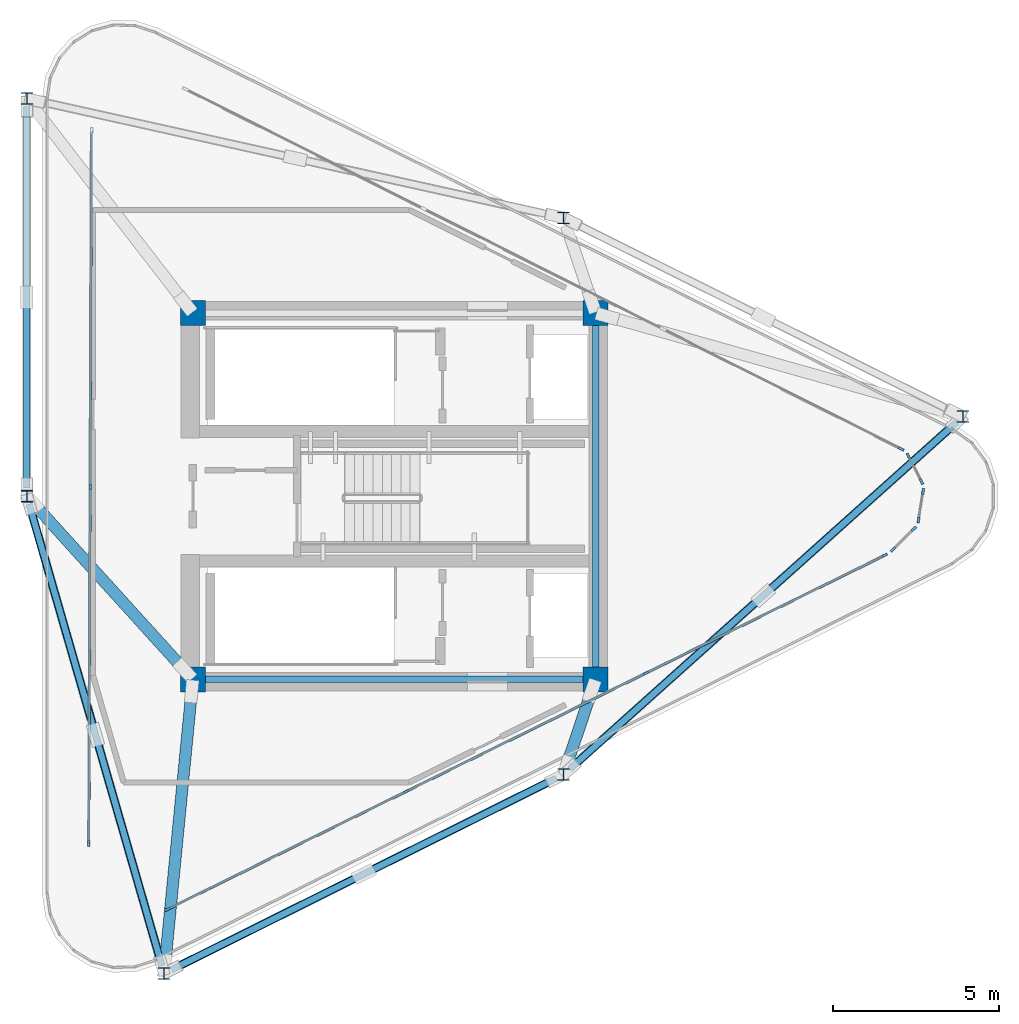
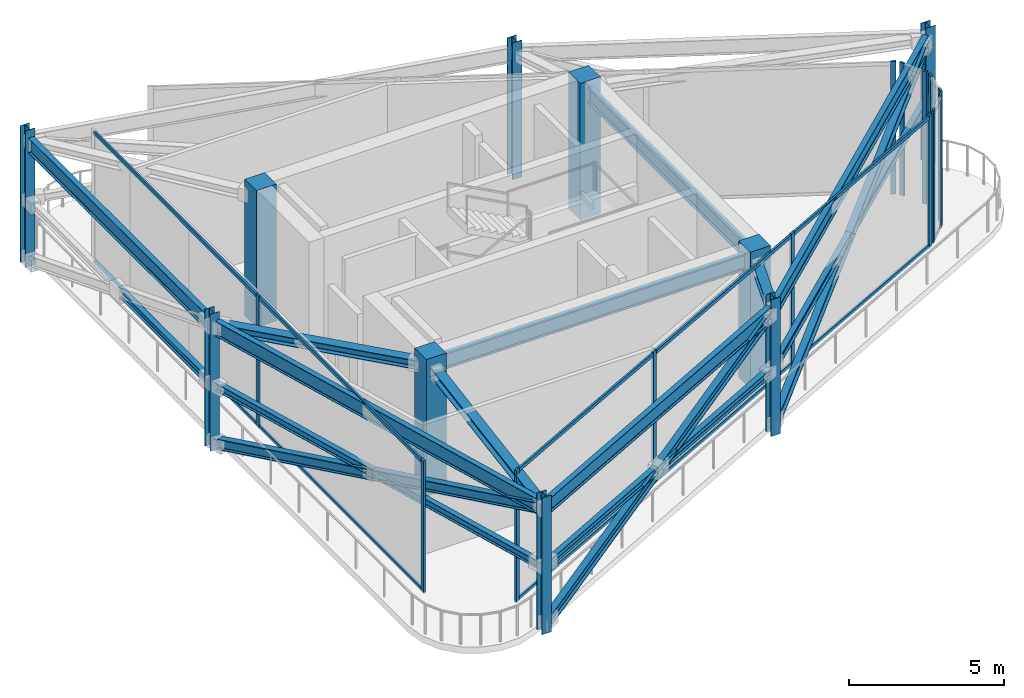
# One storey, part 1 of 7: 36 members, 10 columns, 6 beams, 6 elements without a shape of their own.
"""IFC4 building model written with IfcOpenShell, lengths in metres."""

from ifc_helpers import new_model, si_unit, direction, frame, origin, origin_2d, place, context, subcontext, project, spatial, rectangle, i_section, extrude, source, transform, mapped, material, layer, layer_set, material_profile, profile_set, type_object, element, aggregate, save


model = new_model("IFC4")

# Units and contexts
model_context = context("Model", 3, precision=1e-05, world=origin(), true_north=direction((0.0, 1.0)))
body_context = subcontext(model_context, "Body", "Model", "MODEL_VIEW")
ifc_project = project(units=[si_unit("LENGTHUNIT", "METRE"), si_unit("AREAUNIT", "SQUARE_METRE"), si_unit("VOLUMEUNIT", "CUBIC_METRE"), si_unit("PLANEANGLEUNIT", "RADIAN"), si_unit("MASSUNIT", "GRAM", prefix="KILO")], contexts=[model_context])

# Site, building, storey
site_placement = place(None, origin())
site = spatial("IfcSite", under=ifc_project, at=site_placement, CompositionType="ELEMENT")
building_placement = place(site_placement, origin())
building = spatial("IfcBuilding", under=site, at=building_placement, Name="Yunling Apex Tower", CompositionType="ELEMENT")
storey_placement = place(building_placement, frame((0.0, 0.0, 322.85009765625)))
storey = spatial("IfcBuildingStorey", under=building, at=storey_placement, Name="C02", CompositionType="ELEMENT", Elevation=322.85009765625)

# Columns
ifc_material_1 = material(Name="Concrete C50", Category="concrete")
ifc_material_profile_1 = material_profile(ifc_material_1, rectangle(XDim=0.75, YDim=0.75, at=origin_2d()))
ifc_profile_set_1 = profile_set([ifc_material_profile_1], Name="Concrete C50")
column_type_1 = type_object("IfcColumnType", Name="PC-SRC-4", PredefinedType="COLUMN", material=ifc_profile_set_1)
shared_shape_1 = source(origin(), body_context, "Body", "SweptSolid", [
    extrude(rectangle(XDim=0.75, YDim=0.75, at=origin_2d()), origin(), (0.0, 0.0, 1.0), 5.39990234375),
])
for number, where, z_axis, x_axis, name in (
    (1, (-6.050048828125, -5.5, 0.0), (0.0, 0.0, 1.0), (1.0, 0.0, 0.0), "C02 Core Spine Column CC-SW"),
    (2, (6.050048828125, -5.5, 0.0), (0.0, 0.0, 1.0), (1.0, 0.0, 0.0), "C02 Core Spine Column CC-SE"),
    (3, (6.050048828125, 5.5, 0.0), (0.0, 0.0, 1.0), (1.0, 0.0, 0.0), "C02 Core Spine Column CC-NE"),
    (4, (-6.050048828125, 5.5, 0.0), (0.0, 0.0, 1.0), (1.0, 0.0, 0.0), "C02 Core Spine Column CC-NW"),
):
    element("IfcColumn", number, at=place(storey_placement, frame(where, z_axis=z_axis, x_axis=x_axis)), inside=storey, type_object=column_type_1, Name=name, PredefinedType="COLUMN", context=body_context, shape_type="MappedRepresentation", body=[
        mapped(shared_shape_1, transform((0.0, 0.0, 0.0), scale=1.0)),
    ])
ifc_material_2 = material(Name="Steel Q355B", Category="steel")
ifc_material_profile_2 = material_profile(ifc_material_2, i_section(OverallWidth=0.35009765625, OverallDepth=0.35009765625, WebThickness=0.011962890625, FlangeThickness=0.01904296875, FilletRadius=0.01611328125, at=origin_2d()))
ifc_profile_set_2 = profile_set([ifc_material_profile_2], Name="Steel Q355B")
column_type_2 = type_object("IfcColumnType", Name="CC-STL-2", PredefinedType="COLUMN", material=ifc_profile_set_2)
shared_shape_2 = source(origin(), body_context, "Body", "SweptSolid", [
    extrude(i_section(OverallWidth=0.35009765625, OverallDepth=0.35009765625, WebThickness=0.011962890625, FlangeThickness=0.01904296875, FilletRadius=0.01611328125, at=origin_2d()), origin(), (0.0, 0.0, 1.0), 5.39990234375),
])
for number, where, z_axis, x_axis, name in (
    (5, (-6.9140625, -14.336669921875, 0.0), (0.0, 0.0, 1.0), (1.0, 0.0, 0.0), "C02 Crown Frame Column CP1"),
    (6, (5.086181640625, -8.364013671875, 0.0), (0.0, 0.0, 1.0), (1.0, 0.0, 0.0), "C02 Crown Frame Column CP2"),
    (7, (17.086669921875, 2.3916015625, 0.0), (0.0, 0.0, 1.0), (1.0, 0.0, 0.0), "C02 Crown Frame Column CP3"),
    (8, (5.086181640625, 8.364013671875, 0.0), (0.0, 0.0, 1.0), (1.0, 0.0, 0.0), "C02 Crown Frame Column CP4"),
    (9, (-11.037353515625, 11.9453125, 0.0), (0.0, 0.0, 1.0), (1.0, 0.0, 0.0), "C02 Crown Frame Column CP5"),
    (10, (-11.037353515625, 0.0, 0.0), (0.0, 0.0, 1.0), (1.0, 0.0, 0.0), "C02 Crown Frame Column CP6"),
):
    element("IfcColumn", number, at=place(storey_placement, frame(where, z_axis=z_axis, x_axis=x_axis)), inside=storey, type_object=column_type_2, Name=name, PredefinedType="COLUMN", context=body_context, shape_type="MappedRepresentation", body=[
        mapped(shared_shape_2, transform((0.0, 0.0, 0.0), scale=1.0)),
    ])

# Beams
ifc_material_profile_3 = material_profile(ifc_material_2, i_section(OverallWidth=0.199951171875, OverallDepth=0.60009765625, WebThickness=0.010986328125, FlangeThickness=0.01708984375, FilletRadius=0.02197265625, at=origin_2d()))
ifc_profile_set_3 = profile_set([ifc_material_profile_3], Name="Steel Q355B")
beam_type = type_object("IfcBeamType", Name="BG-PRI-5", PredefinedType="USERDEFINED", material=ifc_profile_set_3)
shared_shape_3 = source(origin(), body_context, "Body", "SweptSolid", [
    extrude(i_section(OverallWidth=0.199951171875, OverallDepth=0.60009765625, WebThickness=0.010986328125, FlangeThickness=0.01708984375, FilletRadius=0.02197265625, at=origin_2d()), origin(), (0.0, 0.0, 1.0), 11.7998046875),
])
beam_1_placement = place(storey_placement, frame((-5.89990234375, -5.5, 4.83984375), z_axis=(1.0, 0.0, 0.0), x_axis=(0.0, 1.0, 0.0)))
element("IfcBeam", 11, at=beam_1_placement, inside=storey, type_object=beam_type, Name="C02 Core Ring Tie Beam 1", ObjectType="GIRDER", PredefinedType="USERDEFINED", context=body_context, shape_type="MappedRepresentation", body=[
    mapped(shared_shape_3, transform((0.0, 0.0, 0.0), scale=1.0)),
])
shared_shape_4 = source(origin(), body_context, "Body", "SweptSolid", [
    extrude(i_section(OverallWidth=0.199951171875, OverallDepth=0.60009765625, WebThickness=0.010986328125, FlangeThickness=0.01708984375, FilletRadius=0.02197265625, at=origin_2d()), origin(), (0.0, 0.0, 1.0), 10.7001953125),
])
beam_2_placement = place(storey_placement, frame((6.050048828125, -5.35009765625, 4.83984375), z_axis=(0.0, 1.0, 0.0), x_axis=(-1.0, 0.0, 0.0)))
element("IfcBeam", 12, at=beam_2_placement, inside=storey, type_object=beam_type, Name="C02 Core Ring Tie Beam 2", ObjectType="GIRDER", PredefinedType="USERDEFINED", context=body_context, shape_type="MappedRepresentation", body=[
    mapped(shared_shape_4, transform((0.0, 0.0, 0.0), scale=1.0)),
])
shared_shape_5 = source(origin(), body_context, "Body", "SweptSolid", [
    extrude(i_section(OverallWidth=0.199951171875, OverallDepth=0.60009765625, WebThickness=0.010986328125, FlangeThickness=0.01708984375, FilletRadius=0.02197265625, at=origin_2d()), origin(), (0.0, 0.0, 1.0), 12.920654296875),
])
beam_3_placement = place(storey_placement, frame((-6.697509765625, -14.22900390625, 4.83984375), z_axis=(0.895245748145, 0.445572721818, 0.0), x_axis=(-0.445572721818, 0.895245748145, 0.0)))
element("IfcBeam", 13, at=beam_3_placement, inside=storey, type_object=beam_type, Name="C02 Crown Ring Beam 1", ObjectType="GIRDER", PredefinedType="USERDEFINED", context=body_context, shape_type="MappedRepresentation", body=[
    mapped(shared_shape_5, transform((0.0, 0.0, 0.0), scale=1.0)),
])

# Members
ifc_material_profile_4 = material_profile(ifc_material_2, i_section(OverallWidth=0.25, OverallDepth=0.39990234375, WebThickness=0.013916015625, FlangeThickness=0.02197265625, FilletRadius=0.01611328125, at=origin_2d()))
ifc_profile_set_4 = profile_set([ifc_material_profile_4], Name="Steel Q355B")
member_type_1 = type_object("IfcMemberType", Name="CR-RIB-1", PredefinedType="RAFTER", material=ifc_profile_set_4)
shared_shape_6 = source(origin(), body_context, "Body", "SweptSolid", [
    extrude(i_section(OverallWidth=0.25, OverallDepth=0.39990234375, WebThickness=0.013916015625, FlangeThickness=0.02197265625, FilletRadius=0.01611328125, at=origin_2d()), origin(), (0.0, 0.0, 1.0), 13.678466796875),
])
member_1_placement = place(storey_placement, frame((-6.697509765625, -14.22900390625, 0.2998046875), z_axis=(0.845640817828, 0.420883854138, 0.328250496648), x_axis=(-0.445572721818, 0.895245748145, 0.0)))
element("IfcMember", 14, at=member_1_placement, inside=storey, type_object=member_type_1, Name="C02 Crown Faceted Structural Rafter 1", PredefinedType="RAFTER", context=body_context, shape_type="MappedRepresentation", body=[
    mapped(shared_shape_6, transform((0.0, 0.0, 0.0), scale=1.0)),
])
ifc_material_profile_5 = material_profile(ifc_material_2, i_section(OverallWidth=0.199951171875, OverallDepth=0.300048828125, WebThickness=0.009033203125, FlangeThickness=0.013916015625, FilletRadius=0.013916015625, at=origin_2d()))
ifc_profile_set_5 = profile_set([ifc_material_profile_5], Name="Steel Q355B")
member_type_2 = type_object("IfcMemberType", Name="CR-PUR-1", PredefinedType="PURLIN", material=ifc_profile_set_5)
shared_shape_7 = source(origin(), body_context, "Body", "SweptSolid", [
    extrude(i_section(OverallWidth=0.199951171875, OverallDepth=0.300048828125, WebThickness=0.009033203125, FlangeThickness=0.013916015625, FilletRadius=0.013916015625, at=origin_2d()), origin(), (0.0, 0.0, 1.0), 6.33544921875),
])
member_2_placement = place(storey_placement, frame((-6.697509765625, -14.22900390625, 2.544921875), z_axis=(0.895234987266, 0.445594341946, 0.0), x_axis=(-0.445594341946, 0.895234987266, 0.0)))
element("IfcMember", 15, at=member_2_placement, inside=storey, type_object=member_type_2, Name="C02 Crown Faceted Glazing Purlin 1A", PredefinedType="PURLIN", context=body_context, shape_type="MappedRepresentation", body=[
    mapped(shared_shape_7, transform((0.0, 0.0, 0.0), scale=1.0)),
])
shared_shape_8 = source(origin(), body_context, "Body", "SweptSolid", [
    extrude(i_section(OverallWidth=0.199951171875, OverallDepth=0.300048828125, WebThickness=0.009033203125, FlangeThickness=0.013916015625, FilletRadius=0.013916015625, at=origin_2d()), origin(), (0.0, 0.0, 1.0), 6.335205078125),
])
member_3_placement = place(storey_placement, frame((-0.802001953125, -11.294677734375, 2.544921875), z_axis=(0.895250359545, 0.445563456462, 0.0), x_axis=(-0.445563456462, 0.895250359545, 0.0)))
element("IfcMember", 16, at=member_3_placement, inside=storey, type_object=member_type_2, Name="C02 Crown Faceted Glazing Purlin 1B", PredefinedType="PURLIN", context=body_context, shape_type="MappedRepresentation", body=[
    mapped(shared_shape_8, transform((0.0, 0.0, 0.0), scale=1.0)),
])
ifc_material_profile_6 = material_profile(ifc_material_2, i_section(OverallWidth=0.35009765625, OverallDepth=0.35009765625, WebThickness=0.011962890625, FlangeThickness=0.01904296875, FilletRadius=0.01611328125, at=origin_2d()))
ifc_profile_set_6 = profile_set([ifc_material_profile_6], Name="Steel Q355B")
member_type_3 = type_object("IfcMemberType", Name="ST-STR-1", PredefinedType="STRUT", material=ifc_profile_set_6)
shared_shape_9 = source(origin(), body_context, "Body", "SweptSolid", [
    extrude(i_section(OverallWidth=0.35009765625, OverallDepth=0.35009765625, WebThickness=0.011962890625, FlangeThickness=0.01904296875, FilletRadius=0.01611328125, at=origin_2d()), origin(), (0.0, 0.0, 1.0), 8.271728515625),
])
member_4_placement = place(storey_placement, frame((-6.08544921875, -5.86328125, 4.83984375), z_axis=(-0.097311751773, -0.995253948983, 0.0), x_axis=(0.995253948983, -0.097311751773, 0.0)))
element("IfcMember", 17, at=member_4_placement, inside=storey, type_object=member_type_3, Name="C02 Crown Radial Stabilizer Strut 1", PredefinedType="STRUT", context=body_context, shape_type="MappedRepresentation", body=[
    mapped(shared_shape_9, transform((0.0, 0.0, 0.0), scale=1.0)),
])

# Beam
shared_shape_10 = source(origin(), body_context, "Body", "SweptSolid", [
    extrude(i_section(OverallWidth=0.199951171875, OverallDepth=0.60009765625, WebThickness=0.010986328125, FlangeThickness=0.01708984375, FilletRadius=0.02197265625, at=origin_2d()), origin(), (0.0, 0.0, 1.0), 15.630859375),
])
beam_4_placement = place(storey_placement, frame((5.2666015625, -8.20263671875, 4.83984375), z_axis=(0.744669550706, 0.667433337684, 0.0), x_axis=(-0.667433337684, 0.744669550706, 0.0)))
element("IfcBeam", 18, at=beam_4_placement, inside=storey, type_object=beam_type, Name="C02 Crown Ring Beam 2", ObjectType="GIRDER", PredefinedType="USERDEFINED", context=body_context, shape_type="MappedRepresentation", body=[
    mapped(shared_shape_10, transform((0.0, 0.0, 0.0), scale=1.0)),
])

# Members
shared_shape_11 = source(origin(), body_context, "Body", "SweptSolid", [
    extrude(i_section(OverallWidth=0.25, OverallDepth=0.39990234375, WebThickness=0.013916015625, FlangeThickness=0.02197265625, FilletRadius=0.01611328125, at=origin_2d()), origin(), (0.0, 0.0, 1.0), 16.262939453125),
])
member_5_placement = place(storey_placement, frame((5.2666015625, -8.20263671875, 0.2998046875), z_axis=(0.715726545235, 0.641492265264, 0.276085468746), x_axis=(-0.667433337684, 0.744669550706, 0.0)))
element("IfcMember", 19, at=member_5_placement, inside=storey, type_object=member_type_1, Name="C02 Crown Faceted Structural Rafter 2", PredefinedType="RAFTER", context=body_context, shape_type="MappedRepresentation", body=[
    mapped(shared_shape_11, transform((0.0, 0.0, 0.0), scale=1.0)),
])
shared_shape_12 = source(origin(), body_context, "Body", "SweptSolid", [
    extrude(i_section(OverallWidth=0.199951171875, OverallDepth=0.300048828125, WebThickness=0.009033203125, FlangeThickness=0.013916015625, FilletRadius=0.013916015625, at=origin_2d()), origin(), (0.0, 0.0, 1.0), 7.6904296875),
])
for number, where, z_axis, x_axis, name in (
    (20, (5.2666015625, -8.20263671875, 2.544921875), (0.744654856598, 0.667449731849, 0.0), (-0.667449731849, 0.744654856598, 0.0), "C02 Crown Faceted Glazing Purlin 2A"),
    (21, (11.1796875, -2.90283203125, 2.544921875), (0.744670634877, 0.667432128049, 0.0), (-0.667432128049, 0.744670634877, 0.0), "C02 Crown Faceted Glazing Purlin 2B"),
):
    element("IfcMember", number, at=place(storey_placement, frame(where, z_axis=z_axis, x_axis=x_axis)), inside=storey, type_object=member_type_2, Name=name, PredefinedType="PURLIN", context=body_context, shape_type="MappedRepresentation", body=[
        mapped(shared_shape_12, transform((0.0, 0.0, 0.0), scale=1.0)),
    ])
shared_shape_13 = source(origin(), body_context, "Body", "SweptSolid", [
    extrude(i_section(OverallWidth=0.35009765625, OverallDepth=0.35009765625, WebThickness=0.011962890625, FlangeThickness=0.01904296875, FilletRadius=0.01611328125, at=origin_2d()), origin(), (0.0, 0.0, 1.0), 2.414794921875),
])
member_6_placement = place(storey_placement, frame((5.93359375, -5.845947265625, 4.83984375), z_axis=(-0.318865218204, -0.947800069962, 0.0), x_axis=(0.947800069962, -0.318865218204, 0.0)))
element("IfcMember", 22, at=member_6_placement, inside=storey, type_object=member_type_3, Name="C02 Crown Radial Stabilizer Strut 2", PredefinedType="STRUT", context=body_context, shape_type="MappedRepresentation", body=[
    mapped(shared_shape_13, transform((0.0, 0.0, 0.0), scale=1.0)),
])

# Beam
shared_shape_14 = source(origin(), body_context, "Body", "SweptSolid", [
    extrude(i_section(OverallWidth=0.199951171875, OverallDepth=0.60009765625, WebThickness=0.010986328125, FlangeThickness=0.01708984375, FilletRadius=0.02197265625, at=origin_2d()), origin(), (0.0, 0.0, 1.0), 11.46142578125),
])
beam_5_placement = place(storey_placement, frame((-11.037353515625, 11.703369140625, 4.83984375), z_axis=(0.0, -1.0, 0.0), x_axis=(1.0, 0.0, 0.0)))
element("IfcBeam", 23, at=beam_5_placement, inside=storey, type_object=beam_type, Name="C02 Crown Ring Beam 5", ObjectType="GIRDER", PredefinedType="USERDEFINED", context=body_context, shape_type="MappedRepresentation", body=[
    mapped(shared_shape_14, transform((0.0, 0.0, 0.0), scale=1.0)),
])

# Member
shared_shape_15 = source(origin(), body_context, "Body", "SweptSolid", [
    extrude(i_section(OverallWidth=0.199951171875, OverallDepth=0.300048828125, WebThickness=0.009033203125, FlangeThickness=0.013916015625, FilletRadius=0.013916015625, at=origin_2d()), origin(), (0.0, 0.0, 1.0), 5.605712890625),
])
member_7_placement = place(storey_placement, frame((-11.037353515625, 5.84765625, 2.544921875), z_axis=(0.0, -1.0, 0.0), x_axis=(1.0, 0.0, 0.0)))
element("IfcMember", 24, at=member_7_placement, inside=storey, type_object=member_type_2, Name="C02 Crown Faceted Glazing Purlin 5B", PredefinedType="PURLIN", context=body_context, shape_type="MappedRepresentation", body=[
    mapped(shared_shape_15, transform((0.0, 0.0, 0.0), scale=1.0)),
])

# Beam
shared_shape_16 = source(origin(), body_context, "Body", "SweptSolid", [
    extrude(i_section(OverallWidth=0.199951171875, OverallDepth=0.60009765625, WebThickness=0.010986328125, FlangeThickness=0.01708984375, FilletRadius=0.02197265625, at=origin_2d()), origin(), (0.0, 0.0, 1.0), 14.43359375),
])
beam_6_placement = place(storey_placement, frame((-10.970458984375, -0.232666015625, 4.83984375), z_axis=(0.276402921078, -0.961041843636, 0.0), x_axis=(0.961041843636, 0.276402921078, 0.0)))
element("IfcBeam", 25, at=beam_6_placement, inside=storey, type_object=beam_type, Name="C02 Crown Ring Beam 6", ObjectType="GIRDER", PredefinedType="USERDEFINED", context=body_context, shape_type="MappedRepresentation", body=[
    mapped(shared_shape_16, transform((0.0, 0.0, 0.0), scale=1.0)),
])

# Members
shared_shape_17 = source(origin(), body_context, "Body", "SweptSolid", [
    extrude(i_section(OverallWidth=0.25, OverallDepth=0.39990234375, WebThickness=0.013916015625, FlangeThickness=0.02197265625, FilletRadius=0.01611328125, at=origin_2d()), origin(), (0.0, 0.0, 1.0), 15.115966796875),
])
member_8_placement = place(storey_placement, frame((-10.970458984375, -0.232666015625, 0.2998046875), z_axis=(0.263927678522, -0.917665926847, 0.297037753853), x_axis=(0.961041843636, 0.276402921078, 0.0)))
element("IfcMember", 26, at=member_8_placement, inside=storey, type_object=member_type_1, Name="C02 Crown Faceted Structural Rafter 6", PredefinedType="RAFTER", context=body_context, shape_type="MappedRepresentation", body=[
    mapped(shared_shape_17, transform((0.0, 0.0, 0.0), scale=1.0)),
])
shared_shape_18 = source(origin(), body_context, "Body", "SweptSolid", [
    extrude(i_section(OverallWidth=0.199951171875, OverallDepth=0.300048828125, WebThickness=0.009033203125, FlangeThickness=0.013916015625, FilletRadius=0.013916015625, at=origin_2d()), origin(), (0.0, 0.0, 1.0), 7.092041015625),
])
member_9_placement = place(storey_placement, frame((-10.970458984375, -0.232666015625, 2.544921875), z_axis=(0.276398442008, -0.961043131839, 0.0), x_axis=(0.961043131839, 0.276398442008, 0.0)))
element("IfcMember", 27, at=member_9_placement, inside=storey, type_object=member_type_2, Name="C02 Crown Faceted Glazing Purlin 6A", PredefinedType="PURLIN", context=body_context, shape_type="MappedRepresentation", body=[
    mapped(shared_shape_18, transform((0.0, 0.0, 0.0), scale=1.0)),
])
shared_shape_19 = source(origin(), body_context, "Body", "SweptSolid", [
    extrude(i_section(OverallWidth=0.199951171875, OverallDepth=0.300048828125, WebThickness=0.009033203125, FlangeThickness=0.013916015625, FilletRadius=0.013916015625, at=origin_2d()), origin(), (0.0, 0.0, 1.0), 7.091796875),
])
member_10_placement = place(storey_placement, frame((-8.941162109375, -7.28857421875, 2.544921875), z_axis=(0.276407586643, -0.961040501772, 0.0), x_axis=(0.961040501772, 0.276407586643, 0.0)))
element("IfcMember", 28, at=member_10_placement, inside=storey, type_object=member_type_2, Name="C02 Crown Faceted Glazing Purlin 6B", PredefinedType="PURLIN", context=body_context, shape_type="MappedRepresentation", body=[
    mapped(shared_shape_19, transform((0.0, 0.0, 0.0), scale=1.0)),
])
shared_shape_20 = source(origin(), body_context, "Body", "SweptSolid", [
    extrude(i_section(OverallWidth=0.35009765625, OverallDepth=0.35009765625, WebThickness=0.011962890625, FlangeThickness=0.01904296875, FilletRadius=0.01611328125, at=origin_2d()), origin(), (0.0, 0.0, 1.0), 6.8173828125),
])
member_11_placement = place(storey_placement, frame((-6.295166015625, -5.2294921875, 4.83984375), z_axis=(-0.671741825615, 0.740785339838, 0.0), x_axis=(-0.740785339838, -0.671741825615, 0.0)))
element("IfcMember", 29, at=member_11_placement, inside=storey, type_object=member_type_3, Name="C02 Crown Radial Stabilizer Strut 6", PredefinedType="STRUT", context=body_context, shape_type="MappedRepresentation", body=[
    mapped(shared_shape_20, transform((0.0, 0.0, 0.0), scale=1.0)),
])

# Curtain wall, members
ifc_material_3 = material(Name="Bronze anodised aluminium", Category="aluminium")
ifc_layer = layer(ifc_material_3, 0.179931640625)
ifc_layer_set = layer_set([ifc_layer], Name="Bronze anodised aluminium")
curtain_wall_type = type_object("IfcCurtainWallType", Name="CW-SYS-6", PredefinedType="NOTDEFINED", material=ifc_layer_set)
curtain_wall_1_placement = place(storey_placement, origin())
curtain_wall_1 = element("IfcCurtainWall", 30, at=curtain_wall_1_placement, inside=storey, type_object=curtain_wall_type, Name="CW-C02-01", PredefinedType="NOTDEFINED")
ifc_material_profile_7 = material_profile(ifc_material_3, rectangle(XDim=0.074951171875, YDim=0.179931640625, at=origin_2d()))
ifc_profile_set_7 = profile_set([ifc_material_profile_7], Name="Bronze anodised aluminium")
member_type_4 = type_object("IfcMemberType", Name="CW-MUL-6", PredefinedType="MULLION", material=ifc_profile_set_7)
shared_shape_21 = source(origin(), body_context, "Body", "SweptSolid", [
    extrude(rectangle(XDim=0.074951171875, YDim=0.179931640625, at=origin_2d()), origin(), (0.0, 0.0, 1.0), 5.239990234375),
])
member_12_placement = place(storey_placement, frame((-9.17578125, -10.43701171875, -0.050048828125), z_axis=(0.0, 0.0, 1.0), x_axis=(-0.999992977757, 0.003747590734, 0.0)))
member_12 = element("IfcMember", 31, at=member_12_placement, type_object=member_type_4, Name="CW-SYS-6 mullion 1", PredefinedType="MULLION", context=body_context, shape_type="MappedRepresentation", body=[
    mapped(shared_shape_21, transform((0.0, 0.0, 0.0), scale=1.0)),
])
member_13_placement = place(storey_placement, frame((-9.135498046875, 0.27880859375, -0.050048828125), z_axis=(0.0, 0.0, 1.0), x_axis=(-0.999992977757, 0.003747590734, 0.0)))
member_13 = element("IfcMember", 32, at=member_13_placement, type_object=member_type_4, Name="CW-SYS-6 mullion 2", PredefinedType="MULLION", context=body_context, shape_type="MappedRepresentation", body=[
    mapped(shared_shape_21, transform((0.0, 0.0, 0.0), scale=1.0)),
])

# Curtain wall, member
curtain_wall_2_placement = place(storey_placement, origin())
curtain_wall_2 = element("IfcCurtainWall", 33, at=curtain_wall_2_placement, inside=storey, type_object=curtain_wall_type, Name="CW-C02-05", PredefinedType="NOTDEFINED")
member_14_placement = place(storey_placement, frame((15.2314453125, 1.42138671875, -0.050048828125), z_axis=(0.0, 0.0, 1.0), x_axis=(0.449129166844, 0.893466838495, 0.0)))
member_14 = element("IfcMember", 34, at=member_14_placement, type_object=member_type_4, Name="CW-SYS-6 mullion 4", PredefinedType="MULLION", context=body_context, shape_type="MappedRepresentation", body=[
    mapped(shared_shape_21, transform((0.0, 0.0, 0.0), scale=1.0)),
])
aggregate(curtain_wall_2, [member_14])

# Curtain wall, members
curtain_wall_3_placement = place(storey_placement, origin())
curtain_wall_3 = element("IfcCurtainWall", 35, at=curtain_wall_3_placement, inside=storey, type_object=curtain_wall_type, Name="CW-C02-06", PredefinedType="NOTDEFINED")
member_15_placement = place(storey_placement, frame((15.4443359375, 1.210693359375, -0.050048828125), z_axis=(0.0, 0.0, 1.0), x_axis=(0.889166923608, 0.457582978226, 0.0)))
member_15 = element("IfcMember", 36, at=member_15_placement, type_object=member_type_4, Name="CW-SYS-6 mullion 1", PredefinedType="MULLION", context=body_context, shape_type="MappedRepresentation", body=[
    mapped(shared_shape_21, transform((0.0, 0.0, 0.0), scale=1.0)),
])
member_16_placement = place(storey_placement, frame((15.84130859375, 0.439453125, -0.050048828125), z_axis=(0.0, 0.0, 1.0), x_axis=(0.889166923608, 0.457582978226, 0.0)))
member_16 = element("IfcMember", 37, at=member_16_placement, type_object=member_type_4, Name="CW-SYS-6 mullion 2", PredefinedType="MULLION", context=body_context, shape_type="MappedRepresentation", body=[
    mapped(shared_shape_21, transform((0.0, 0.0, 0.0), scale=1.0)),
])
aggregate(curtain_wall_3, [member_15, member_16])

curtain_wall_4_placement = place(storey_placement, origin())
curtain_wall_4 = element("IfcCurtainWall", 38, at=curtain_wall_4_placement, inside=storey, type_object=curtain_wall_type, Name="CW-C02-07", PredefinedType="NOTDEFINED")
member_17_placement = place(storey_placement, frame((15.888427734375, 0.143798828125, -0.050048828125), z_axis=(0.0, 0.0, 1.0), x_axis=(0.987473057025, -0.157787710703, 0.0)))
member_17 = element("IfcMember", 39, at=member_17_placement, type_object=member_type_4, Name="CW-SYS-6 mullion 1", PredefinedType="MULLION", context=body_context, shape_type="MappedRepresentation", body=[
    mapped(shared_shape_21, transform((0.0, 0.0, 0.0), scale=1.0)),
])
member_18_placement = place(storey_placement, frame((15.751708984375, -0.712646484375, -0.050048828125), z_axis=(0.0, 0.0, 1.0), x_axis=(0.987473057025, -0.157787710703, 0.0)))
member_18 = element("IfcMember", 40, at=member_18_placement, type_object=member_type_4, Name="CW-SYS-6 mullion 2", PredefinedType="MULLION", context=body_context, shape_type="MappedRepresentation", body=[
    mapped(shared_shape_21, transform((0.0, 0.0, 0.0), scale=1.0)),
])
aggregate(curtain_wall_4, [member_17, member_18])

curtain_wall_5_placement = place(storey_placement, origin())
curtain_wall_5 = element("IfcCurtainWall", 41, at=curtain_wall_5_placement, inside=storey, type_object=curtain_wall_type, Name="CW-C02-08", PredefinedType="NOTDEFINED")
member_19_placement = place(storey_placement, frame((15.614501953125, -0.978515625, -0.050048828125), z_axis=(0.0, 0.0, 1.0), x_axis=(0.700818031048, -0.713340092352, 0.0)))
member_19 = element("IfcMember", 42, at=member_19_placement, type_object=member_type_4, Name="CW-SYS-6 mullion 1", PredefinedType="MULLION", context=body_context, shape_type="MappedRepresentation", body=[
    mapped(shared_shape_21, transform((0.0, 0.0, 0.0), scale=1.0)),
])
member_20_placement = place(storey_placement, frame((14.984375, -1.59765625, -0.050048828125), z_axis=(0.0, 0.0, 1.0), x_axis=(0.700818031048, -0.713340092352, 0.0)))
member_20 = element("IfcMember", 43, at=member_20_placement, type_object=member_type_4, Name="CW-SYS-6 mullion 2", PredefinedType="MULLION", context=body_context, shape_type="MappedRepresentation", body=[
    mapped(shared_shape_21, transform((0.0, 0.0, 0.0), scale=1.0)),
])
aggregate(curtain_wall_5, [member_19, member_20])

curtain_wall_6_placement = place(storey_placement, origin())
curtain_wall_6 = element("IfcCurtainWall", 44, at=curtain_wall_6_placement, inside=storey, type_object=curtain_wall_type, Name="CW-C02-09", PredefinedType="NOTDEFINED")
member_21_placement = place(storey_placement, frame((14.730712890625, -1.777587890625, -0.050048828125), z_axis=(0.0, 0.0, 1.0), x_axis=(0.442566496556, -0.896735689111, 0.0)))
member_21 = element("IfcMember", 45, at=member_21_placement, type_object=member_type_4, Name="CW-SYS-6 mullion 1", PredefinedType="MULLION", context=body_context, shape_type="MappedRepresentation", body=[
    mapped(shared_shape_21, transform((0.0, 0.0, 0.0), scale=1.0)),
])
member_22_placement = place(storey_placement, frame((7.561279296875, -5.316162109375, -0.050048828125), z_axis=(0.0, 0.0, 1.0), x_axis=(0.442566496556, -0.896735689111, 0.0)))
member_22 = element("IfcMember", 46, at=member_22_placement, type_object=member_type_4, Name="CW-SYS-6 mullion 2", PredefinedType="MULLION", context=body_context, shape_type="MappedRepresentation", body=[
    mapped(shared_shape_21, transform((0.0, 0.0, 0.0), scale=1.0)),
])
member_23_placement = place(storey_placement, frame((0.358154296875, -8.87109375, -0.050048828125), z_axis=(0.0, 0.0, 1.0), x_axis=(0.442566496556, -0.896735689111, 0.0)))
member_23 = element("IfcMember", 47, at=member_23_placement, type_object=member_type_4, Name="CW-SYS-6 mullion 3", PredefinedType="MULLION", context=body_context, shape_type="MappedRepresentation", body=[
    mapped(shared_shape_21, transform((0.0, 0.0, 0.0), scale=1.0)),
])
member_24_placement = place(storey_placement, frame((-6.811279296875, -12.409423828125, -0.050048828125), z_axis=(0.0, 0.0, 1.0), x_axis=(0.442566496556, -0.896735689111, 0.0)))
member_24 = element("IfcMember", 48, at=member_24_placement, type_object=member_type_4, Name="CW-SYS-6 mullion 4", PredefinedType="MULLION", context=body_context, shape_type="MappedRepresentation", body=[
    mapped(shared_shape_21, transform((0.0, 0.0, 0.0), scale=1.0)),
])

# Member
ifc_material_profile_8 = material_profile(ifc_material_3, rectangle(XDim=0.074951171875, YDim=0.139892578125, at=origin_2d()))
ifc_profile_set_8 = profile_set([ifc_material_profile_8], Name="Bronze anodised aluminium")
member_type_5 = type_object("IfcMemberType", Name="CW-TRN-6", PredefinedType="USERDEFINED", material=ifc_profile_set_8)
shared_shape_22 = source(origin(), body_context, "Body", "SweptSolid", [
    extrude(rectangle(XDim=0.074951171875, YDim=0.139892578125, at=origin_2d()), origin(), (0.0, 0.0, 1.0), 10.6484375),
])
member_25_placement = place(storey_placement, frame((-9.175537109375, -10.4033203125, 0.037353515625), z_axis=(0.003737134578, 0.999993016888, 0.0), x_axis=(-0.999993016888, 0.003737134578, 0.0)))
member_25 = element("IfcMember", 49, at=member_25_placement, type_object=member_type_5, Name="CW-SYS-6 transom 1.1", ObjectType="TRANSOM", PredefinedType="USERDEFINED", context=body_context, shape_type="MappedRepresentation", body=[
    mapped(shared_shape_22, transform((0.0, 0.0, 0.0), scale=1.0)),
])

member_26_placement = place(storey_placement, frame((-9.175537109375, -10.4033203125, 5.102294921875), z_axis=(0.003737134578, 0.999993016888, 0.0), x_axis=(-0.999993016888, 0.003737134578, 0.0)))
member_26 = element("IfcMember", 50, at=member_26_placement, type_object=member_type_5, Name="CW-SYS-6 transom 1.2", ObjectType="TRANSOM", PredefinedType="USERDEFINED", context=body_context, shape_type="MappedRepresentation", body=[
    mapped(shared_shape_22, transform((0.0, 0.0, 0.0), scale=1.0)),
])

member_27_placement = place(storey_placement, frame((-9.13525390625, 0.312744140625, 0.037353515625), z_axis=(0.003737134578, 0.999993016888, 0.0), x_axis=(-0.999993016888, 0.003737134578, 0.0)))
member_27 = element("IfcMember", 51, at=member_27_placement, type_object=member_type_5, Name="CW-SYS-6 transom 2.1", ObjectType="TRANSOM", PredefinedType="USERDEFINED", context=body_context, shape_type="MappedRepresentation", body=[
    mapped(shared_shape_22, transform((0.0, 0.0, 0.0), scale=1.0)),
])

member_28_placement = place(storey_placement, frame((-9.13525390625, 0.312744140625, 5.102294921875), z_axis=(0.003737134578, 0.999993016888, 0.0), x_axis=(-0.999993016888, 0.003737134578, 0.0)))
member_28 = element("IfcMember", 52, at=member_28_placement, type_object=member_type_5, Name="CW-SYS-6 transom 2.2", ObjectType="TRANSOM", PredefinedType="USERDEFINED", context=body_context, shape_type="MappedRepresentation", body=[
    mapped(shared_shape_22, transform((0.0, 0.0, 0.0), scale=1.0)),
])

aggregate(curtain_wall_1, [member_12, member_13, member_25, member_26, member_27, member_28])

shared_shape_23 = source(origin(), body_context, "Body", "SweptSolid", [
    extrude(rectangle(XDim=0.074951171875, YDim=0.139892578125, at=origin_2d()), origin(), (0.0, 0.0, 1.0), 7.927490234375),
])
member_29_placement = place(storey_placement, frame((14.700439453125, -1.792724609375, 0.037353515625), z_axis=(-0.896743313333, -0.442551047895, 0.0), x_axis=(0.442551047895, -0.896743313333, 0.0)))
member_29 = element("IfcMember", 53, at=member_29_placement, type_object=member_type_5, Name="CW-SYS-6 transom 1.1", ObjectType="TRANSOM", PredefinedType="USERDEFINED", context=body_context, shape_type="MappedRepresentation", body=[
    mapped(shared_shape_23, transform((0.0, 0.0, 0.0), scale=1.0)),
])

member_30_placement = place(storey_placement, frame((14.700439453125, -1.792724609375, 5.102294921875), z_axis=(-0.896743313333, -0.442551047895, 0.0), x_axis=(0.442551047895, -0.896743313333, 0.0)))
member_30 = element("IfcMember", 54, at=member_30_placement, type_object=member_type_5, Name="CW-SYS-6 transom 1.2", ObjectType="TRANSOM", PredefinedType="USERDEFINED", context=body_context, shape_type="MappedRepresentation", body=[
    mapped(shared_shape_23, transform((0.0, 0.0, 0.0), scale=1.0)),
])

member_31_placement = place(storey_placement, frame((0.327880859375, -8.885986328125, 0.037353515625), z_axis=(-0.896731091274, -0.442575812649, 0.0), x_axis=(0.442575812649, -0.896731091274, 0.0)))
member_31 = element("IfcMember", 55, at=member_31_placement, type_object=member_type_5, Name="CW-SYS-6 transom 3.1", ObjectType="TRANSOM", PredefinedType="USERDEFINED", context=body_context, shape_type="MappedRepresentation", body=[
    mapped(shared_shape_23, transform((0.0, 0.0, 0.0), scale=1.0)),
])

member_32_placement = place(storey_placement, frame((0.327880859375, -8.885986328125, 5.102294921875), z_axis=(-0.896731091274, -0.442575812649, 0.0), x_axis=(0.442575812649, -0.896731091274, 0.0)))
member_32 = element("IfcMember", 56, at=member_32_placement, type_object=member_type_5, Name="CW-SYS-6 transom 3.2", ObjectType="TRANSOM", PredefinedType="USERDEFINED", context=body_context, shape_type="MappedRepresentation", body=[
    mapped(shared_shape_23, transform((0.0, 0.0, 0.0), scale=1.0)),
])

shared_shape_24 = source(origin(), body_context, "Body", "SweptSolid", [
    extrude(rectangle(XDim=0.074951171875, YDim=0.139892578125, at=origin_2d()), origin(), (0.0, 0.0, 1.0), 7.965087890625),
])
member_33_placement = place(storey_placement, frame((7.531005859375, -5.3310546875, 0.037353515625), z_axis=(-0.896732417269, -0.442573125956, 0.0), x_axis=(0.442573125956, -0.896732417269, 0.0)))
member_33 = element("IfcMember", 57, at=member_33_placement, type_object=member_type_5, Name="CW-SYS-6 transom 2.1", ObjectType="TRANSOM", PredefinedType="USERDEFINED", context=body_context, shape_type="MappedRepresentation", body=[
    mapped(shared_shape_24, transform((0.0, 0.0, 0.0), scale=1.0)),
])

member_34_placement = place(storey_placement, frame((7.531005859375, -5.3310546875, 5.102294921875), z_axis=(-0.896732417269, -0.442573125956, 0.0), x_axis=(0.442573125956, -0.896732417269, 0.0)))
member_34 = element("IfcMember", 58, at=member_34_placement, type_object=member_type_5, Name="CW-SYS-6 transom 2.2", ObjectType="TRANSOM", PredefinedType="USERDEFINED", context=body_context, shape_type="MappedRepresentation", body=[
    mapped(shared_shape_24, transform((0.0, 0.0, 0.0), scale=1.0)),
])

aggregate(curtain_wall_6, [member_21, member_22, member_23, member_24, member_29, member_30, member_33, member_34, member_31, member_32])

save(model, "model.ifc")
